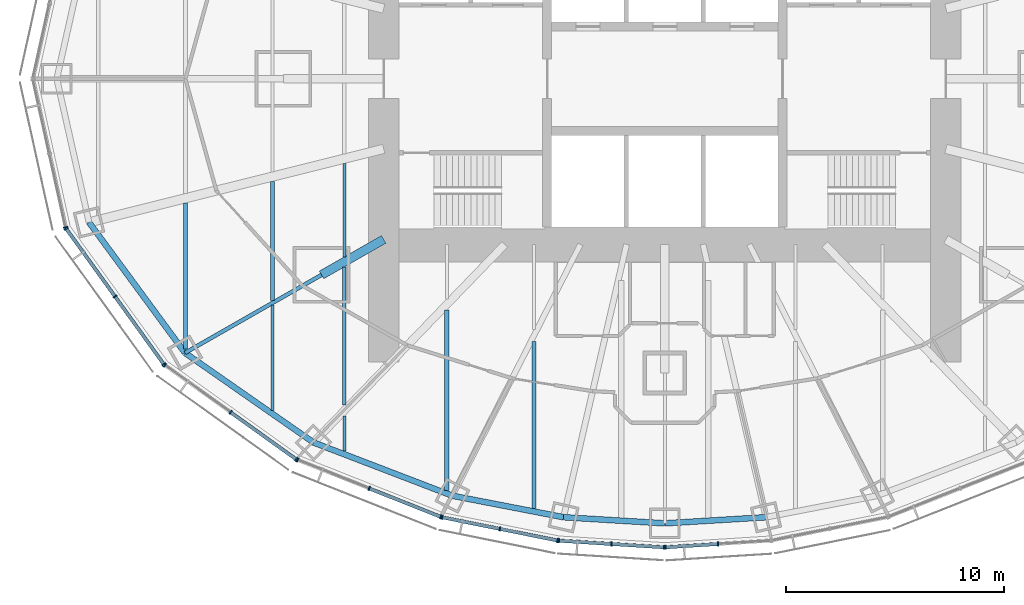
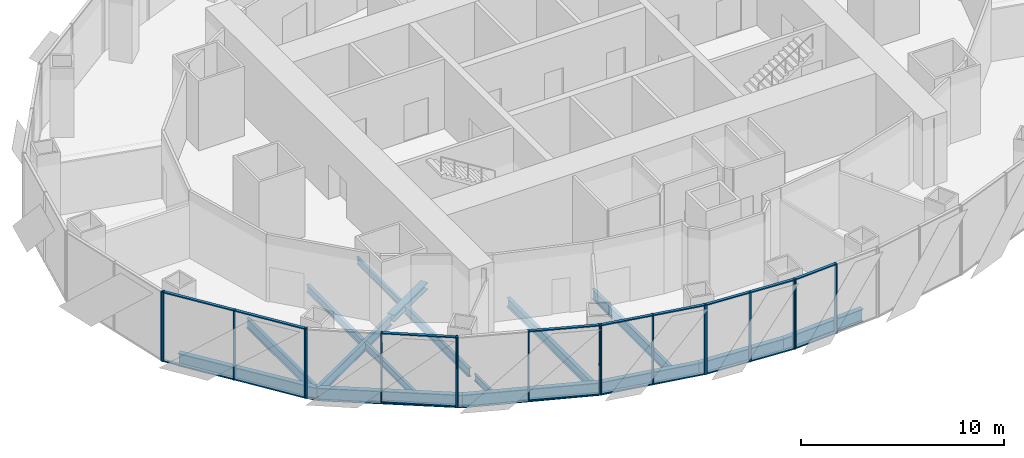
# One storey, part 2 of 18: 36 members, 16 beams, 7 elements without a shape of their own.
"""IFC4 building model written with IfcOpenShell, lengths in metres."""

import ifcopenshell
import ifcopenshell.guid

model = None  # the IFC model being written
_history = None  # IfcOwnerHistory: only IFC2X3 demands one
_inside = {}  # id of a spatial element -> (the spatial element, [elements in it])
_under = {}  # id of a project, library or spatial element -> (it, [spatial elements below it])
_declared = {}  # id of a project -> (the project, [libraries it declares])
_typed = {}  # id of a type object -> (the type object, [elements of that type])
_made_of = {}  # id of a material, layer set ... -> (it, [elements and type objects made of it])


def new_model(schema):
    """Start an empty IFC model of exactly this schema.

    Asked for "IFC4X3", IfcOpenShell would pick the latest addendum, in which some entities
    have other attributes; the version numbers below select the first issue.
    IFC2X3 requires an IfcOwnerHistory on every rooted entity: one is made here for all.
    """
    global model, _history
    if schema == "IFC4X3":
        model = ifcopenshell.file(schema_version=(4, 3, 0, 0))
    else:
        model = ifcopenshell.file(schema=schema)
    _inside.clear()
    _under.clear()
    _declared.clear()
    _typed.clear()
    _made_of.clear()
    _history = None
    if model.schema == "IFC2X3":
        org = make("IfcOrganization", Name="unknown")
        user = make(
            "IfcPersonAndOrganization",
            ThePerson=make("IfcPerson", FamilyName="unknown"),
            TheOrganization=org,
        )
        app = make(
            "IfcApplication",
            ApplicationDeveloper=org,
            Version="unknown",
            ApplicationFullName="unknown",
            ApplicationIdentifier="unknown",
        )
        _history = make(
            "IfcOwnerHistory",
            OwningUser=user,
            OwningApplication=app,
            ChangeAction="ADDED",
            CreationDate=0,
        )
    return model


def make(cls, **values):
    """One entity of the class cls with the attributes given. An attribute that is None is left unset."""
    return model.create_entity(
        cls, **{name: value for name, value in values.items() if value is not None}
    )


def rooted(cls, **values):
    """An entity with a GlobalId (a new one), such as an element, a storey or a relation."""
    return make(cls, GlobalId=ifcopenshell.guid.new(), OwnerHistory=_history, **values)


def si_unit(unit_type, name, prefix=None):
    """IfcSIUnit, for example si_unit("LENGTHUNIT", "METRE", prefix="MILLI")."""
    return make("IfcSIUnit", UnitType=unit_type, Prefix=prefix, Name=name)


def assignment(units):
    """IfcUnitAssignment: the units of a project."""
    return None if units is None else make("IfcUnitAssignment", Units=units)


def point(xyz):
    """IfcCartesianPoint."""
    return None if xyz is None else make("IfcCartesianPoint", Coordinates=xyz)


def direction(xyz):
    """IfcDirection."""
    return None if xyz is None else make("IfcDirection", DirectionRatios=xyz)


def frame(location, z_axis=None, x_axis=None):
    """IfcAxis2Placement3D, a coordinate frame: its origin and axes. An axis left out is left unset."""
    return make(
        "IfcAxis2Placement3D",
        Location=point(location),
        Axis=direction(z_axis),
        RefDirection=direction(x_axis),
    )


def frame_2d(location, x_axis=None):
    """IfcAxis2Placement2D, a coordinate frame in the plane: its origin and x axis."""
    return make(
        "IfcAxis2Placement2D", Location=point(location), RefDirection=direction(x_axis)
    )


def origin():
    """The frame at (0, 0, 0) with its axes left unset."""
    return frame((0.0, 0.0, 0.0))


def origin_2d():
    """The frame at (0, 0) in the plane with its x axis left unset."""
    return frame_2d((0.0, 0.0))


def place(relative_to, where):
    """IfcLocalPlacement: puts the frame where relative to a parent placement (None: the world)."""
    return make(
        "IfcLocalPlacement", PlacementRelTo=relative_to, RelativePlacement=where
    )


def context(
    kind, dimensions, precision=None, world=None, true_north=None, identifier=None
):
    """IfcGeometricRepresentationContext, for example the 3D "Model" context."""
    return make(
        "IfcGeometricRepresentationContext",
        ContextIdentifier=identifier,
        ContextType=kind,
        CoordinateSpaceDimension=dimensions,
        Precision=precision,
        WorldCoordinateSystem=world,
        TrueNorth=true_north,
    )


def subcontext(parent, identifier, kind, view, scale=None):
    """IfcGeometricRepresentationSubContext, for example "Body" below "Model"."""
    return make(
        "IfcGeometricRepresentationSubContext",
        ContextIdentifier=identifier,
        ContextType=kind,
        ParentContext=parent,
        TargetScale=scale,
        TargetView=view,
    )


def project(units=None, contexts=None):
    """IfcProject with its units and contexts."""
    return rooted(
        "IfcProject",
        Name="project",
        RepresentationContexts=contexts,
        UnitsInContext=assignment(units),
    )


def spatial(cls, under=None, at=None, **own):
    """A site, building, storey or space (cls), placed at a placement, below another one or the project."""
    s = rooted(cls, ObjectPlacement=at, **own)
    if under is not None:
        _under.setdefault(under.id(), (under, []))[1].append(s)
    return s


def profile(cls, at=None, kind="AREA", **sizes):
    """A parametric profile (cls). Its sizes go by their IFC names, for example OverallWidth=200.0."""
    return make(cls, ProfileType=kind, Position=at, **sizes)


def rectangle(**sizes):
    """IfcRectangleProfileDef."""
    return profile("IfcRectangleProfileDef", **sizes)


def i_section(**sizes):
    """IfcIShapeProfileDef."""
    return profile("IfcIShapeProfileDef", **sizes)


def extrude(swept, where, along, depth):
    """IfcExtrudedAreaSolid: the profile swept, set in the frame where, extruded along a direction by depth."""
    return make(
        "IfcExtrudedAreaSolid",
        SweptArea=swept,
        Position=where,
        ExtrudedDirection=direction(along),
        Depth=depth,
    )


def shape(context_of_items, identifier, shape_type, items):
    """IfcShapeRepresentation: the items that make up one representation, for example the "Body"."""
    return make(
        "IfcShapeRepresentation",
        ContextOfItems=context_of_items,
        RepresentationIdentifier=identifier,
        RepresentationType=shape_type,
        Items=items,
    )


def material(Name=None, Category=None):
    """IfcMaterial."""
    return make("IfcMaterial", Name=Name, Category=Category)


def material_profile(
    of_material, cross_section, Name=None, Category=None, Priority=None
):
    """IfcMaterialProfile: a cross section and its material."""
    return make(
        "IfcMaterialProfile",
        Name=Name,
        Material=of_material,
        Profile=cross_section,
        Priority=Priority,
        Category=Category,
    )


def profile_set(profiles, Name=None, composite=None):
    """IfcMaterialProfileSet."""
    return make(
        "IfcMaterialProfileSet",
        Name=Name,
        MaterialProfiles=profiles,
        CompositeProfile=composite,
    )


def made_of(thing, what):
    """Note that an element or type object is made of a material, layer set ...; save() writes the relation."""
    if what is not None:
        _made_of.setdefault(what.id(), (what, []))[1].append(thing)
    return thing


def type_object(cls, material=None, **own):
    """A type object (cls), such as IfcWallType, which elements share."""
    return made_of(rooted(cls, **own), material)


def element(
    cls,
    number,
    at=None,
    inside=None,
    cuts=None,
    type_object=None,
    material=None,
    context=None,
    identifier="Body",
    shape_type=None,
    held_by="IfcProductDefinitionShape",
    body=None,
    shapes=None,
    **own,
):
    """One element of the class cls, such as IfcWall. Its Tag is "e" and its number.

    at: its placement. inside: the storey or other place that contains it. cuts: it is an
    opening in that element (IfcRelVoidsElement). A single representation is given by context,
    identifier, shape_type and body (its items); several are given by shapes. held_by: the class
    of the entity that holds the representations. save() writes the other relations.
    """
    e = rooted(cls, Tag="e%d" % number, ObjectPlacement=at, **own)
    if body is not None:
        shapes = [shape(context, identifier, shape_type, body)]
    if shapes is not None:
        e.Representation = make(held_by, Representations=shapes)
    if inside is not None:
        _inside.setdefault(inside.id(), (inside, []))[1].append(e)
    if cuts is not None:
        rooted(
            "IfcRelVoidsElement", RelatingBuildingElement=cuts, RelatedOpeningElement=e
        )
    if type_object is not None:
        _typed.setdefault(type_object.id(), (type_object, []))[1].append(e)
    return made_of(e, material)


def aggregate(whole, parts):
    """IfcRelAggregates: a whole, such as a stair, and the parts it consists of."""
    return rooted("IfcRelAggregates", RelatingObject=whole, RelatedObjects=parts)


def save(model, path):
    """Write the relations noted so far, then the file.

    IfcRelAggregates (storeys below a building ...), IfcRelContainedInSpatialStructure (elements
    in a storey), IfcRelDefinesByType, IfcRelAssociatesMaterial and IfcRelDeclares: one each for
    every whole, place, type object, material and project.
    """
    for whole, parts in _under.values():
        aggregate(whole, parts)
    for where, things in _inside.values():
        rooted(
            "IfcRelContainedInSpatialStructure",
            RelatedElements=things,
            RelatingStructure=where,
        )
    for kind, things in _typed.values():
        rooted("IfcRelDefinesByType", RelatedObjects=things, RelatingType=kind)
    for what, things in _made_of.values():
        rooted("IfcRelAssociatesMaterial", RelatedObjects=things, RelatingMaterial=what)
    for by, libraries in _declared.values():
        rooted("IfcRelDeclares", RelatingContext=by, RelatedDefinitions=libraries)
    model.write(path)


model = new_model("IFC4")

# Units and contexts
model_context = context("Model", 3, precision=1e-05, world=origin(), true_north=direction((0.0, 1.0)))
body_context = subcontext(model_context, "Body", "Model", "MODEL_VIEW")
ifc_project = project(units=[si_unit("LENGTHUNIT", "METRE"), si_unit("AREAUNIT", "SQUARE_METRE"), si_unit("VOLUMEUNIT", "CUBIC_METRE"), si_unit("PLANEANGLEUNIT", "RADIAN"), si_unit("MASSUNIT", "GRAM", prefix="KILO")], contexts=[model_context])

# Site, building, storey
site_placement = place(None, origin())
site = spatial("IfcSite", under=ifc_project, at=site_placement, CompositionType="ELEMENT")
building_placement = place(site_placement, origin())
building = spatial("IfcBuilding", under=site, at=building_placement, Name="Lantaw Convention Tower", CompositionType="ELEMENT")
storey_placement = place(building_placement, frame((0.0, 0.0, 167.800048828125)))
storey = spatial("IfcBuildingStorey", under=building, at=storey_placement, Name="L39", CompositionType="ELEMENT", Elevation=167.800048828125)

# Beams
ifc_material_1 = material(Name="Steel ASTM A992", Category="steel")
ifc_material_profile_1 = material_profile(ifc_material_1, i_section(OverallWidth=0.2666015625, OverallDepth=0.76953125, WebThickness=0.015625, FlangeThickness=0.025390625, FilletRadius=0.0126953125, at=origin_2d()), Name="W30X132")
ifc_profile_set_1 = profile_set([ifc_material_profile_1], Name="Steel ASTM A992")
beam_type_1 = type_object("IfcBeamType", Name="Beam E W30X132", PredefinedType="SPANDREL", material=ifc_profile_set_1)
beam_1_placement = place(storey_placement, frame((-26.419921875, -6.587158203125, -0.534912109375), z_axis=(0.5923891972, -0.805651934176, 0.0), x_axis=(0.805651934176, 0.5923891972, 0.0)))
element("IfcBeam", 1, at=beam_1_placement, inside=storey, type_object=beam_type_1, Name="Edge beam 14", PredefinedType="SPANDREL", context=body_context, shape_type="SweptSolid", body=[
    extrude(i_section(OverallWidth=0.2666015625, OverallDepth=0.76953125, WebThickness=0.015625, FlangeThickness=0.025390625, FilletRadius=0.0126953125, at=origin_2d()), origin(), (0.0, 0.0, 1.0), 7.437744140625),
])
beam_2_placement = place(storey_placement, frame((-22.013916015625, -12.579345703125, -0.534912109375), z_axis=(0.820310765287, -0.57191804339, 0.0), x_axis=(0.57191804339, 0.820310765287, 0.0)))
element("IfcBeam", 2, at=beam_2_placement, inside=storey, type_object=beam_type_1, Name="Edge beam 15", PredefinedType="SPANDREL", context=body_context, shape_type="SweptSolid", body=[
    extrude(i_section(OverallWidth=0.2666015625, OverallDepth=0.76953125, WebThickness=0.015625, FlangeThickness=0.025390625, FilletRadius=0.0126953125, at=origin_2d()), origin(), (0.0, 0.0, 1.0), 7.187744140625),
])
beam_3_placement = place(storey_placement, frame((-16.11767578125, -16.690185546875, -0.534912109375), z_axis=(0.933691081977, -0.358079549033, 0.0), x_axis=(0.358079549033, 0.933691081977, 0.0)))
element("IfcBeam", 3, at=beam_3_placement, inside=storey, type_object=beam_type_1, Name="Edge beam 16", PredefinedType="SPANDREL", context=body_context, shape_type="SweptSolid", body=[
    extrude(i_section(OverallWidth=0.2666015625, OverallDepth=0.76953125, WebThickness=0.015625, FlangeThickness=0.025390625, FilletRadius=0.0126953125, at=origin_2d()), origin(), (0.0, 0.0, 1.0), 6.821533203125),
])
beam_4_placement = place(storey_placement, frame((-9.74853515625, -19.1328125, -0.534912109375), z_axis=(0.981796805654, -0.189934284446, 0.0), x_axis=(0.189934284446, 0.981796805654, 0.0)))
element("IfcBeam", 4, at=beam_4_placement, inside=storey, type_object=beam_type_1, Name="Edge beam 17", PredefinedType="SPANDREL", context=body_context, shape_type="SweptSolid", body=[
    extrude(i_section(OverallWidth=0.2666015625, OverallDepth=0.76953125, WebThickness=0.015625, FlangeThickness=0.025390625, FilletRadius=0.0126953125, at=origin_2d()), origin(), (0.0, 0.0, 1.0), 5.1982421875),
])
for number, where, z_axis, x_axis, name in (
    (5, (-4.64501953125, -20.1201171875, -0.534912109375), (0.998190892054, -0.06012439621, 0.0), (0.06012439621, 0.998190892054, 0.0), "Edge beam 18"),
    (6, (0.0, -20.39990234375, -0.534912109375), (0.998190892054, 0.06012439621, 0.0), (-0.06012439621, 0.998190892054, 0.0), "Edge beam 19"),
):
    element("IfcBeam", number, at=place(storey_placement, frame(where, z_axis=z_axis, x_axis=x_axis)), inside=storey, type_object=beam_type_1, Name=name, PredefinedType="SPANDREL", context=body_context, shape_type="SweptSolid", body=[
        extrude(i_section(OverallWidth=0.2666015625, OverallDepth=0.76953125, WebThickness=0.015625, FlangeThickness=0.025390625, FilletRadius=0.0126953125, at=origin_2d()), origin(), (0.0, 0.0, 1.0), 4.6533203125),
    ])
ifc_material_profile_2 = material_profile(ifc_material_1, i_section(OverallWidth=0.177978515625, OverallDepth=0.599365234375, WebThickness=0.010009765625, FlangeThickness=0.012939453125, FilletRadius=0.012939453125, at=origin_2d()), Name="W24X55")
ifc_profile_set_2 = profile_set([ifc_material_profile_2], Name="Steel ASTM A992")
beam_type_2 = type_object("IfcBeamType", Name="Beam G W24X55", PredefinedType="BEAM", material=ifc_profile_set_2)
beam_5_placement = place(storey_placement, frame((-15.75, -9.0, -0.44970703125), z_axis=(-0.868245224608, -0.496135293993, 0.0), x_axis=(0.496135293993, -0.868245224608, 0.0)))
element("IfcBeam", 7, at=beam_5_placement, inside=storey, type_object=beam_type_2, Name="Floor girder on ray 15", PredefinedType="BEAM", context=body_context, shape_type="SweptSolid", body=[
    extrude(i_section(OverallWidth=0.177978515625, OverallDepth=0.599365234375, WebThickness=0.010009765625, FlangeThickness=0.012939453125, FilletRadius=0.012939453125, at=origin_2d()), origin(), (0.0, 0.0, 1.0), 7.21435546875),
])
ifc_material_profile_3 = material_profile(ifc_material_1, i_section(OverallWidth=0.40380859375, OverallDepth=0.406494140625, WebThickness=0.027099609375, FlangeThickness=0.043701171875, FilletRadius=0.01513671875, at=origin_2d()), Name="W14X233")
ifc_profile_set_3 = profile_set([ifc_material_profile_3], Name="Steel ASTM A992")
beam_type_3 = type_object("IfcBeamType", Name="Beam GM W14X233", PredefinedType="BEAM", material=ifc_profile_set_3)
beam_6_placement = place(storey_placement, frame((-12.89990234375, -7.371337890625, -0.353271484375), z_axis=(-0.868238565244, -0.496146947811, 0.0), x_axis=(0.496146947811, -0.868238565244, 0.0)))
element("IfcBeam", 8, at=beam_6_placement, inside=storey, type_object=beam_type_3, Name="Core link beam on ray 15", PredefinedType="BEAM", context=body_context, shape_type="SweptSolid", body=[
    extrude(i_section(OverallWidth=0.40380859375, OverallDepth=0.406494140625, WebThickness=0.027099609375, FlangeThickness=0.043701171875, FilletRadius=0.01513671875, at=origin_2d()), origin(), (0.0, 0.0, 1.0), 3.28271484375),
])
ifc_material_profile_4 = material_profile(ifc_material_1, i_section(OverallWidth=0.140380859375, OverallDepth=0.40380859375, WebThickness=0.007080078125, FlangeThickness=0.01123046875, FilletRadius=0.01025390625, at=origin_2d()), Name="W16X31")
ifc_profile_set_4 = profile_set([ifc_material_profile_4], Name="Steel ASTM A992")
beam_type_4 = type_object("IfcBeamType", Name="Beam J W16X31", PredefinedType="JOIST", material=ifc_profile_set_4)
beam_7_placement = place(storey_placement, frame((-14.699951171875, -17.091064453125, -0.35205078125), z_axis=(0.0, 1.0, 0.0), x_axis=(-1.0, 0.0, 0.0)))
element("IfcBeam", 9, at=beam_7_placement, inside=storey, type_object=beam_type_4, Name="Floor joist", PredefinedType="JOIST", context=body_context, shape_type="SweptSolid", body=[
    extrude(i_section(OverallWidth=0.140380859375, OverallDepth=0.40380859375, WebThickness=0.007080078125, FlangeThickness=0.01123046875, FilletRadius=0.01025390625, at=origin_2d()), origin(), (0.0, 0.0, 1.0), 1.609130859375),
])
beam_8_placement = place(storey_placement, frame((-14.699951171875, -8.16748046875, -0.35205078125), z_axis=(0.0, 1.0, 0.0), x_axis=(-1.0, 0.0, 0.0)))
element("IfcBeam", 10, at=beam_8_placement, inside=storey, type_object=beam_type_4, Name="Floor joist", PredefinedType="JOIST", context=body_context, shape_type="SweptSolid", body=[
    extrude(i_section(OverallWidth=0.140380859375, OverallDepth=0.40380859375, WebThickness=0.007080078125, FlangeThickness=0.01123046875, FilletRadius=0.01025390625, at=origin_2d()), origin(), (0.0, 0.0, 1.0), 4.28515625),
])
ifc_material_profile_5 = material_profile(ifc_material_1, i_section(OverallWidth=0.15234375, OverallDepth=0.449462890625, WebThickness=0.007568359375, FlangeThickness=0.0107421875, FilletRadius=0.01025390625, at=origin_2d()), Name="W18X35")
ifc_profile_set_5 = profile_set([ifc_material_profile_5], Name="Steel ASTM A992")
beam_type_5 = type_object("IfcBeamType", Name="Beam J W18X35", PredefinedType="JOIST", material=ifc_profile_set_5)
beam_9_placement = place(storey_placement, frame((-18.0, -15.21533203125, -0.374755859375), z_axis=(0.0, 1.0, 0.0), x_axis=(-1.0, 0.0, 0.0)))
element("IfcBeam", 11, at=beam_9_placement, inside=storey, type_object=beam_type_5, Name="Floor joist", PredefinedType="JOIST", context=body_context, shape_type="SweptSolid", body=[
    extrude(i_section(OverallWidth=0.15234375, OverallDepth=0.449462890625, WebThickness=0.007568359375, FlangeThickness=0.0107421875, FilletRadius=0.01025390625, at=origin_2d()), origin(), (0.0, 0.0, 1.0), 4.8271484375),
])
ifc_material_profile_6 = material_profile(ifc_material_1, i_section(OverallWidth=0.1904296875, OverallDepth=0.457275390625, WebThickness=0.009033203125, FlangeThickness=0.014404296875, FilletRadius=0.01025390625, at=origin_2d()), Name="W18X50")
ifc_profile_set_6 = profile_set([ifc_material_profile_6], Name="Steel ASTM A992")
beam_type_6 = type_object("IfcBeamType", Name="Beam J W18X50", PredefinedType="JOIST", material=ifc_profile_set_6)
beam_10_placement = place(storey_placement, frame((-18.0, -10.18310546875, -0.378662109375), z_axis=(0.0, 1.0, 0.0), x_axis=(-1.0, 0.0, 0.0)))
element("IfcBeam", 12, at=beam_10_placement, inside=storey, type_object=beam_type_6, Name="Floor joist", PredefinedType="JOIST", context=body_context, shape_type="SweptSolid", body=[
    extrude(i_section(OverallWidth=0.1904296875, OverallDepth=0.457275390625, WebThickness=0.009033203125, FlangeThickness=0.014404296875, FilletRadius=0.01025390625, at=origin_2d()), origin(), (0.0, 0.0, 1.0), 5.47802734375),
])
ifc_material_profile_7 = material_profile(ifc_material_1, i_section(OverallWidth=0.1650390625, OverallDepth=0.52587890625, WebThickness=0.0087890625, FlangeThickness=0.011474609375, FilletRadius=0.0126953125, at=origin_2d()), Name="W21X44")
ifc_profile_set_7 = profile_set([ifc_material_profile_7], Name="Steel ASTM A992")
beam_type_7 = type_object("IfcBeamType", Name="Beam J W21X44", PredefinedType="JOIST", material=ifc_profile_set_7)
beam_11_placement = place(storey_placement, frame((-14.699951171875, -14.962646484375, -0.412841796875), z_axis=(0.0, 1.0, 0.0), x_axis=(-1.0, 0.0, 0.0)))
element("IfcBeam", 13, at=beam_11_placement, inside=storey, type_object=beam_type_7, Name="Floor joist", PredefinedType="JOIST", context=body_context, shape_type="SweptSolid", body=[
    extrude(i_section(OverallWidth=0.1650390625, OverallDepth=0.52587890625, WebThickness=0.0087890625, FlangeThickness=0.011474609375, FilletRadius=0.0126953125, at=origin_2d()), origin(), (0.0, 0.0, 1.0), 6.330078125),
])
ifc_material_profile_8 = material_profile(ifc_material_1, i_section(OverallWidth=0.2099609375, OverallDepth=0.535888671875, WebThickness=0.010986328125, FlangeThickness=0.017333984375, FilletRadius=0.012939453125, at=origin_2d()), Name="W21X68")
ifc_profile_set_8 = profile_set([ifc_material_profile_8], Name="Steel ASTM A992")
beam_type_8 = type_object("IfcBeamType", Name="Beam J W21X68", PredefinedType="JOIST", material=ifc_profile_set_8)
beam_12_placement = place(storey_placement, frame((-10.0, -18.8935546875, -0.41796875), z_axis=(0.0, 1.0, 0.0), x_axis=(-1.0, 0.0, 0.0)))
element("IfcBeam", 14, at=beam_12_placement, inside=storey, type_object=beam_type_8, Name="Floor joist", PredefinedType="JOIST", context=body_context, shape_type="SweptSolid", body=[
    extrude(i_section(OverallWidth=0.2099609375, OverallDepth=0.535888671875, WebThickness=0.010986328125, FlangeThickness=0.017333984375, FilletRadius=0.012939453125, at=origin_2d()), origin(), (0.0, 0.0, 1.0), 8.278564453125),
])
ifc_material_profile_9 = material_profile(ifc_material_1, i_section(OverallWidth=0.177978515625, OverallDepth=0.599365234375, WebThickness=0.010009765625, FlangeThickness=0.012939453125, FilletRadius=0.012939453125, at=origin_2d()), Name="W24X55")
ifc_profile_set_9 = profile_set([ifc_material_profile_9], Name="Steel ASTM A992")
beam_type_9 = type_object("IfcBeamType", Name="Beam J W24X55", PredefinedType="JOIST", material=ifc_profile_set_9)
beam_13_placement = place(storey_placement, frame((-22.0, -12.408935546875, -0.44970703125), z_axis=(0.0, 1.0, 0.0), x_axis=(-1.0, 0.0, 0.0)))
element("IfcBeam", 15, at=beam_13_placement, inside=storey, type_object=beam_type_9, Name="Floor joist", PredefinedType="JOIST", context=body_context, shape_type="SweptSolid", body=[
    extrude(i_section(OverallWidth=0.177978515625, OverallDepth=0.599365234375, WebThickness=0.010009765625, FlangeThickness=0.012939453125, FilletRadius=0.012939453125, at=origin_2d()), origin(), (0.0, 0.0, 1.0), 6.70654296875),
])
beam_14_placement = place(storey_placement, frame((-6.0, -19.72216796875, -0.44970703125), z_axis=(0.0, 1.0, 0.0), x_axis=(-1.0, 0.0, 0.0)))
element("IfcBeam", 16, at=beam_14_placement, inside=storey, type_object=beam_type_9, Name="Floor joist", PredefinedType="JOIST", context=body_context, shape_type="SweptSolid", body=[
    extrude(i_section(OverallWidth=0.177978515625, OverallDepth=0.599365234375, WebThickness=0.010009765625, FlangeThickness=0.012939453125, FilletRadius=0.012939453125, at=origin_2d()), origin(), (0.0, 0.0, 1.0), 7.666748046875),
])

# Curtain wall, member
ifc_material_2 = material(Name="Aluminium framed curtain wall", Category="aluminium")
curtain_wall_type = type_object("IfcCurtainWallType", Name="Office curtain wall low rise, pale aluminium", PredefinedType="USERDEFINED", material=ifc_material_2)
curtain_wall_1_placement = place(storey_placement, origin())
curtain_wall_1 = element("IfcCurtainWall", 17, at=curtain_wall_1_placement, inside=storey, type_object=curtain_wall_type, Name="Office curtain wall low rise, pale aluminium L39", ObjectType="UNITISED CURTAIN WALL", PredefinedType="USERDEFINED")
ifc_material_3 = material(Name="Aluminium 6063-T6", Category="aluminium")
ifc_material_profile_10 = material_profile(ifc_material_3, rectangle(XDim=0.199951171875, YDim=0.06494140625, at=origin_2d()), Name="CW-O1 mullion 65x200")
ifc_profile_set_10 = profile_set([ifc_material_profile_10], Name="Aluminium 6063-T6")
member_type_1 = type_object("IfcMemberType", Name="CW-O1 mullion 65x200", PredefinedType="MULLION", material=ifc_profile_set_10)
member_1_placement = place(storey_placement, frame((-27.494140625, -6.821533203125, -0.150146484375), z_axis=(0.0, 0.0, 1.0), x_axis=(0.9764936509, 0.215546166174, 0.0)))
member_1 = element("IfcMember", 18, at=member_1_placement, type_object=member_type_1, Name="CW-O1 mullion 3", PredefinedType="MULLION", context=body_context, shape_type="SweptSolid", body=[
    extrude(rectangle(XDim=0.199951171875, YDim=0.06494140625, at=origin_2d()), origin(), (0.0, 0.0, 1.0), 4.2001953125),
])
aggregate(curtain_wall_1, [member_1])

# Curtain wall, members
curtain_wall_2_placement = place(storey_placement, origin())
curtain_wall_2 = element("IfcCurtainWall", 19, at=curtain_wall_2_placement, inside=storey, type_object=curtain_wall_type, Name="Office curtain wall low rise, pale aluminium L39", ObjectType="UNITISED CURTAIN WALL", PredefinedType="USERDEFINED")
member_2_placement = place(storey_placement, frame((-27.46826171875, -6.879638671875, -0.150146484375), z_axis=(0.0, 0.0, 1.0), x_axis=(0.811384633629, 0.584512597221, 0.0)))
member_2 = element("IfcMember", 20, at=member_2_placement, type_object=member_type_1, Name="CW-O1 mullion 1", PredefinedType="MULLION", context=body_context, shape_type="SweptSolid", body=[
    extrude(rectangle(XDim=0.199951171875, YDim=0.06494140625, at=origin_2d()), origin(), (0.0, 0.0, 1.0), 4.2001953125),
])
member_3_placement = place(storey_placement, frame((-25.22802734375, -9.9892578125, -0.150146484375), z_axis=(0.0, 0.0, 1.0), x_axis=(0.811384633629, 0.584512597221, 0.0)))
member_3 = element("IfcMember", 21, at=member_3_placement, type_object=member_type_1, Name="CW-O1 mullion 2", PredefinedType="MULLION", context=body_context, shape_type="SweptSolid", body=[
    extrude(rectangle(XDim=0.199951171875, YDim=0.06494140625, at=origin_2d()), origin(), (0.0, 0.0, 1.0), 4.2001953125),
])
member_4_placement = place(storey_placement, frame((-22.988037109375, -13.098876953125, -0.150146484375), z_axis=(0.0, 0.0, 1.0), x_axis=(0.811384633629, 0.584512597221, 0.0)))
member_4 = element("IfcMember", 22, at=member_4_placement, type_object=member_type_1, Name="CW-O1 mullion 3", PredefinedType="MULLION", context=body_context, shape_type="SweptSolid", body=[
    extrude(rectangle(XDim=0.199951171875, YDim=0.06494140625, at=origin_2d()), origin(), (0.0, 0.0, 1.0), 4.2001953125),
])

curtain_wall_3_placement = place(storey_placement, origin())
curtain_wall_3 = element("IfcCurtainWall", 23, at=curtain_wall_3_placement, inside=storey, type_object=curtain_wall_type, Name="Office curtain wall low rise, pale aluminium L39", ObjectType="UNITISED CURTAIN WALL", PredefinedType="USERDEFINED")
member_5_placement = place(storey_placement, frame((-22.942626953125, -13.14404296875, -0.150146484375), z_axis=(0.0, 0.0, 1.0), x_axis=(0.581972695693, 0.813208325995, 0.0)))
member_5 = element("IfcMember", 24, at=member_5_placement, type_object=member_type_1, Name="CW-O1 mullion 1", PredefinedType="MULLION", context=body_context, shape_type="SweptSolid", body=[
    extrude(rectangle(XDim=0.199951171875, YDim=0.06494140625, at=origin_2d()), origin(), (0.0, 0.0, 1.0), 4.2001953125),
])
member_6_placement = place(storey_placement, frame((-19.92529296875, -15.303466796875, -0.150146484375), z_axis=(0.0, 0.0, 1.0), x_axis=(0.581972695693, 0.813208325995, 0.0)))
member_6 = element("IfcMember", 25, at=member_6_placement, type_object=member_type_1, Name="CW-O1 mullion 2", PredefinedType="MULLION", context=body_context, shape_type="SweptSolid", body=[
    extrude(rectangle(XDim=0.199951171875, YDim=0.06494140625, at=origin_2d()), origin(), (0.0, 0.0, 1.0), 4.2001953125),
])
member_7_placement = place(storey_placement, frame((-16.908203125, -17.462646484375, -0.150146484375), z_axis=(0.0, 0.0, 1.0), x_axis=(0.581972695693, 0.813208325995, 0.0)))
member_7 = element("IfcMember", 26, at=member_7_placement, type_object=member_type_1, Name="CW-O1 mullion 3", PredefinedType="MULLION", context=body_context, shape_type="SweptSolid", body=[
    extrude(rectangle(XDim=0.199951171875, YDim=0.06494140625, at=origin_2d()), origin(), (0.0, 0.0, 1.0), 4.2001953125),
])

curtain_wall_4_placement = place(storey_placement, origin())
curtain_wall_4 = element("IfcCurtainWall", 27, at=curtain_wall_4_placement, inside=storey, type_object=curtain_wall_type, Name="Office curtain wall low rise, pale aluminium L39", ObjectType="UNITISED CURTAIN WALL", PredefinedType="USERDEFINED")
member_8_placement = place(storey_placement, frame((-16.8515625, -17.49365234375, -0.150146484375), z_axis=(0.0, 0.0, 1.0), x_axis=(0.368701907483, 0.929547687544, 0.0)))
member_8 = element("IfcMember", 28, at=member_8_placement, type_object=member_type_1, Name="CW-O1 mullion 1", PredefinedType="MULLION", context=body_context, shape_type="SweptSolid", body=[
    extrude(rectangle(XDim=0.199951171875, YDim=0.06494140625, at=origin_2d()), origin(), (0.0, 0.0, 1.0), 4.2001953125),
])
member_9_placement = place(storey_placement, frame((-13.56494140625, -18.797119140625, -0.150146484375), z_axis=(0.0, 0.0, 1.0), x_axis=(0.368701907483, 0.929547687544, 0.0)))
member_9 = element("IfcMember", 29, at=member_9_placement, type_object=member_type_1, Name="CW-O1 mullion 2", PredefinedType="MULLION", context=body_context, shape_type="SweptSolid", body=[
    extrude(rectangle(XDim=0.199951171875, YDim=0.06494140625, at=origin_2d()), origin(), (0.0, 0.0, 1.0), 4.2001953125),
])
member_10_placement = place(storey_placement, frame((-10.2783203125, -20.100830078125, -0.150146484375), z_axis=(0.0, 0.0, 1.0), x_axis=(0.368701907483, 0.929547687544, 0.0)))
member_10 = element("IfcMember", 30, at=member_10_placement, type_object=member_type_1, Name="CW-O1 mullion 3", PredefinedType="MULLION", context=body_context, shape_type="SweptSolid", body=[
    extrude(rectangle(XDim=0.199951171875, YDim=0.06494140625, at=origin_2d()), origin(), (0.0, 0.0, 1.0), 4.2001953125),
])

curtain_wall_5_placement = place(storey_placement, origin())
curtain_wall_5 = element("IfcCurtainWall", 31, at=curtain_wall_5_placement, inside=storey, type_object=curtain_wall_type, Name="Office curtain wall low rise, pale aluminium L39", ObjectType="UNITISED CURTAIN WALL", PredefinedType="USERDEFINED")
member_11_placement = place(storey_placement, frame((-10.216064453125, -20.119140625, -0.150146484375), z_axis=(0.0, 0.0, 1.0), x_axis=(0.197506809659, 0.980301514912, 0.0)))
member_11 = element("IfcMember", 32, at=member_11_placement, type_object=member_type_1, Name="CW-O1 mullion 1", PredefinedType="MULLION", context=body_context, shape_type="SweptSolid", body=[
    extrude(rectangle(XDim=0.199951171875, YDim=0.06494140625, at=origin_2d()), origin(), (0.0, 0.0, 1.0), 4.2001953125),
])
member_12_placement = place(storey_placement, frame((-7.5703125, -20.65234375, -0.150146484375), z_axis=(0.0, 0.0, 1.0), x_axis=(0.197506809659, 0.980301514912, 0.0)))
member_12 = element("IfcMember", 33, at=member_12_placement, type_object=member_type_1, Name="CW-O1 mullion 2", PredefinedType="MULLION", context=body_context, shape_type="SweptSolid", body=[
    extrude(rectangle(XDim=0.199951171875, YDim=0.06494140625, at=origin_2d()), origin(), (0.0, 0.0, 1.0), 4.2001953125),
])
member_13_placement = place(storey_placement, frame((-4.92431640625, -21.185302734375, -0.150146484375), z_axis=(0.0, 0.0, 1.0), x_axis=(0.197506809659, 0.980301514912, 0.0)))
member_13 = element("IfcMember", 34, at=member_13_placement, type_object=member_type_1, Name="CW-O1 mullion 3", PredefinedType="MULLION", context=body_context, shape_type="SweptSolid", body=[
    extrude(rectangle(XDim=0.199951171875, YDim=0.06494140625, at=origin_2d()), origin(), (0.0, 0.0, 1.0), 4.2001953125),
])

curtain_wall_6_placement = place(storey_placement, origin())
curtain_wall_6 = element("IfcCurtainWall", 35, at=curtain_wall_6_placement, inside=storey, type_object=curtain_wall_type, Name="Office curtain wall low rise, pale aluminium L39", ObjectType="UNITISED CURTAIN WALL", PredefinedType="USERDEFINED")
member_14_placement = place(storey_placement, frame((-4.860107421875, -21.19384765625, -0.150146484375), z_axis=(0.0, 0.0, 1.0), x_axis=(0.062865059466, 0.998022035978, 0.0)))
member_14 = element("IfcMember", 36, at=member_14_placement, type_object=member_type_1, Name="CW-O1 mullion 1", PredefinedType="MULLION", context=body_context, shape_type="SweptSolid", body=[
    extrude(rectangle(XDim=0.199951171875, YDim=0.06494140625, at=origin_2d()), origin(), (0.0, 0.0, 1.0), 4.2001953125),
])
member_15_placement = place(storey_placement, frame((-2.4462890625, -21.345947265625, -0.150146484375), z_axis=(0.0, 0.0, 1.0), x_axis=(0.062865059466, 0.998022035978, 0.0)))
member_15 = element("IfcMember", 37, at=member_15_placement, type_object=member_type_1, Name="CW-O1 mullion 2", PredefinedType="MULLION", context=body_context, shape_type="SweptSolid", body=[
    extrude(rectangle(XDim=0.199951171875, YDim=0.06494140625, at=origin_2d()), origin(), (0.0, 0.0, 1.0), 4.2001953125),
])
member_16_placement = place(storey_placement, frame((-0.032470703125, -21.498046875, -0.150146484375), z_axis=(0.0, 0.0, 1.0), x_axis=(0.062865059466, 0.998022035978, 0.0)))
member_16 = element("IfcMember", 38, at=member_16_placement, type_object=member_type_1, Name="CW-O1 mullion 3", PredefinedType="MULLION", context=body_context, shape_type="SweptSolid", body=[
    extrude(rectangle(XDim=0.199951171875, YDim=0.06494140625, at=origin_2d()), origin(), (0.0, 0.0, 1.0), 4.2001953125),
])

curtain_wall_7_placement = place(storey_placement, origin())
curtain_wall_7 = element("IfcCurtainWall", 39, at=curtain_wall_7_placement, inside=storey, type_object=curtain_wall_type, Name="Office curtain wall low rise, pale aluminium L39", ObjectType="UNITISED CURTAIN WALL", PredefinedType="USERDEFINED")
member_17_placement = place(storey_placement, frame((0.032470703125, -21.498046875, -0.150146484375), z_axis=(0.0, 0.0, 1.0), x_axis=(-0.062865059466, 0.998022035978, 0.0)))
member_17 = element("IfcMember", 40, at=member_17_placement, type_object=member_type_1, Name="CW-O1 mullion 1", PredefinedType="MULLION", context=body_context, shape_type="SweptSolid", body=[
    extrude(rectangle(XDim=0.199951171875, YDim=0.06494140625, at=origin_2d()), origin(), (0.0, 0.0, 1.0), 4.2001953125),
])
member_18_placement = place(storey_placement, frame((2.4462890625, -21.345947265625, -0.150146484375), z_axis=(0.0, 0.0, 1.0), x_axis=(-0.062865059466, 0.998022035978, 0.0)))
member_18 = element("IfcMember", 41, at=member_18_placement, type_object=member_type_1, Name="CW-O1 mullion 2", PredefinedType="MULLION", context=body_context, shape_type="SweptSolid", body=[
    extrude(rectangle(XDim=0.199951171875, YDim=0.06494140625, at=origin_2d()), origin(), (0.0, 0.0, 1.0), 4.2001953125),
])

# Member
ifc_material_profile_11 = material_profile(ifc_material_3, rectangle(XDim=0.159912109375, YDim=0.06494140625, at=origin_2d()), Name="CW-O1 transom 65x160")
ifc_profile_set_11 = profile_set([ifc_material_profile_11], Name="Aluminium 6063-T6")
member_type_2 = type_object("IfcMemberType", Name="CW-O1 transom 65x160", PredefinedType="USERDEFINED", material=ifc_profile_set_11)
member_19_placement = place(storey_placement, frame((-27.44921875, -6.906005859375, -0.117431640625), z_axis=(0.584512973979, -0.811384362217, 0.0), x_axis=(0.811384362217, 0.584512973979, 0.0)))
member_19 = element("IfcMember", 42, at=member_19_placement, type_object=member_type_2, Name="CW-O1 transom 1.1", ObjectType="TRANSOM", PredefinedType="USERDEFINED", context=body_context, shape_type="SweptSolid", body=[
    extrude(rectangle(XDim=0.159912109375, YDim=0.06494140625, at=origin_2d()), origin(), (0.0, 0.0, 1.0), 3.767578125),
])

member_20_placement = place(storey_placement, frame((-27.44921875, -6.906005859375, 4.017333984375), z_axis=(0.584512973979, -0.811384362217, 0.0), x_axis=(0.811384362217, 0.584512973979, 0.0)))
member_20 = element("IfcMember", 43, at=member_20_placement, type_object=member_type_2, Name="CW-O1 transom 1.2", ObjectType="TRANSOM", PredefinedType="USERDEFINED", context=body_context, shape_type="SweptSolid", body=[
    extrude(rectangle(XDim=0.159912109375, YDim=0.06494140625, at=origin_2d()), origin(), (0.0, 0.0, 1.0), 3.767578125),
])

member_21_placement = place(storey_placement, frame((-25.209228515625, -10.015625, -0.117431640625), z_axis=(0.584512973979, -0.811384362217, 0.0), x_axis=(0.811384362217, 0.584512973979, 0.0)))
member_21 = element("IfcMember", 44, at=member_21_placement, type_object=member_type_2, Name="CW-O1 transom 2.1", ObjectType="TRANSOM", PredefinedType="USERDEFINED", context=body_context, shape_type="SweptSolid", body=[
    extrude(rectangle(XDim=0.159912109375, YDim=0.06494140625, at=origin_2d()), origin(), (0.0, 0.0, 1.0), 3.767578125),
])

member_22_placement = place(storey_placement, frame((-25.209228515625, -10.015625, 4.017333984375), z_axis=(0.584512973979, -0.811384362217, 0.0), x_axis=(0.811384362217, 0.584512973979, 0.0)))
member_22 = element("IfcMember", 45, at=member_22_placement, type_object=member_type_2, Name="CW-O1 transom 2.2", ObjectType="TRANSOM", PredefinedType="USERDEFINED", context=body_context, shape_type="SweptSolid", body=[
    extrude(rectangle(XDim=0.159912109375, YDim=0.06494140625, at=origin_2d()), origin(), (0.0, 0.0, 1.0), 3.767578125),
])

aggregate(curtain_wall_2, [member_2, member_3, member_4, member_19, member_20, member_21, member_22])

member_23_placement = place(storey_placement, frame((-19.89892578125, -15.322265625, -0.117431640625), z_axis=(0.813190089133, -0.581998177777, 0.0), x_axis=(0.581998177777, 0.813190089133, 0.0)))
member_23 = element("IfcMember", 46, at=member_23_placement, type_object=member_type_2, Name="CW-O1 transom 2.1", ObjectType="TRANSOM", PredefinedType="USERDEFINED", context=body_context, shape_type="SweptSolid", body=[
    extrude(rectangle(XDim=0.159912109375, YDim=0.06494140625, at=origin_2d()), origin(), (0.0, 0.0, 1.0), 3.645263671875),
])

member_24_placement = place(storey_placement, frame((-19.89892578125, -15.322265625, 4.017333984375), z_axis=(0.813190089133, -0.581998177777, 0.0), x_axis=(0.581998177777, 0.813190089133, 0.0)))
member_24 = element("IfcMember", 47, at=member_24_placement, type_object=member_type_2, Name="CW-O1 transom 2.2", ObjectType="TRANSOM", PredefinedType="USERDEFINED", context=body_context, shape_type="SweptSolid", body=[
    extrude(rectangle(XDim=0.159912109375, YDim=0.06494140625, at=origin_2d()), origin(), (0.0, 0.0, 1.0), 3.645263671875),
])

aggregate(curtain_wall_3, [member_5, member_6, member_7, member_23, member_24])

member_25_placement = place(storey_placement, frame((-13.53466796875, -18.80908203125, -0.117431640625), z_axis=(0.929540081544, -0.368721082668, 0.0), x_axis=(0.368721082668, 0.929540081544, 0.0)))
member_25 = element("IfcMember", 48, at=member_25_placement, type_object=member_type_2, Name="CW-O1 transom 2.1", ObjectType="TRANSOM", PredefinedType="USERDEFINED", context=body_context, shape_type="SweptSolid", body=[
    extrude(rectangle(XDim=0.159912109375, YDim=0.06494140625, at=origin_2d()), origin(), (0.0, 0.0, 1.0), 3.470947265625),
])

member_26_placement = place(storey_placement, frame((-13.53466796875, -18.80908203125, 4.017333984375), z_axis=(0.929540081544, -0.368721082668, 0.0), x_axis=(0.368721082668, 0.929540081544, 0.0)))
member_26 = element("IfcMember", 49, at=member_26_placement, type_object=member_type_2, Name="CW-O1 transom 2.2", ObjectType="TRANSOM", PredefinedType="USERDEFINED", context=body_context, shape_type="SweptSolid", body=[
    extrude(rectangle(XDim=0.159912109375, YDim=0.06494140625, at=origin_2d()), origin(), (0.0, 0.0, 1.0), 3.470947265625),
])

aggregate(curtain_wall_4, [member_8, member_9, member_10, member_25, member_26])

member_27_placement = place(storey_placement, frame((-10.184326171875, -20.125732421875, -0.117431640625), z_axis=(0.980301643003, -0.197506173891, 0.0), x_axis=(0.197506173891, 0.980301643003, 0.0)))
member_27 = element("IfcMember", 50, at=member_27_placement, type_object=member_type_2, Name="CW-O1 transom 1.1", ObjectType="TRANSOM", PredefinedType="USERDEFINED", context=body_context, shape_type="SweptSolid", body=[
    extrude(rectangle(XDim=0.159912109375, YDim=0.06494140625, at=origin_2d()), origin(), (0.0, 0.0, 1.0), 2.63427734375),
])

member_28_placement = place(storey_placement, frame((-10.184326171875, -20.125732421875, 4.017333984375), z_axis=(0.980301643003, -0.197506173891, 0.0), x_axis=(0.197506173891, 0.980301643003, 0.0)))
member_28 = element("IfcMember", 51, at=member_28_placement, type_object=member_type_2, Name="CW-O1 transom 1.2", ObjectType="TRANSOM", PredefinedType="USERDEFINED", context=body_context, shape_type="SweptSolid", body=[
    extrude(rectangle(XDim=0.159912109375, YDim=0.06494140625, at=origin_2d()), origin(), (0.0, 0.0, 1.0), 2.63427734375),
])

member_29_placement = place(storey_placement, frame((-7.538330078125, -20.65869140625, -0.117431640625), z_axis=(0.980298027092, -0.197524120247, 0.0), x_axis=(0.197524120247, 0.980298027092, 0.0)))
member_29 = element("IfcMember", 52, at=member_29_placement, type_object=member_type_2, Name="CW-O1 transom 2.1", ObjectType="TRANSOM", PredefinedType="USERDEFINED", context=body_context, shape_type="SweptSolid", body=[
    extrude(rectangle(XDim=0.159912109375, YDim=0.06494140625, at=origin_2d()), origin(), (0.0, 0.0, 1.0), 2.634033203125),
])

member_30_placement = place(storey_placement, frame((-7.538330078125, -20.65869140625, 4.017333984375), z_axis=(0.980298027092, -0.197524120247, 0.0), x_axis=(0.197524120247, 0.980298027092, 0.0)))
member_30 = element("IfcMember", 53, at=member_30_placement, type_object=member_type_2, Name="CW-O1 transom 2.2", ObjectType="TRANSOM", PredefinedType="USERDEFINED", context=body_context, shape_type="SweptSolid", body=[
    extrude(rectangle(XDim=0.159912109375, YDim=0.06494140625, at=origin_2d()), origin(), (0.0, 0.0, 1.0), 2.634033203125),
])

aggregate(curtain_wall_5, [member_11, member_12, member_13, member_27, member_28, member_29, member_30])

member_31_placement = place(storey_placement, frame((-4.82763671875, -21.19580078125, -0.117431640625), z_axis=(0.998022188463, -0.062862638625, 0.0), x_axis=(0.062862638625, 0.998022188463, 0.0)))
member_31 = element("IfcMember", 54, at=member_31_placement, type_object=member_type_2, Name="CW-O1 transom 1.1", ObjectType="TRANSOM", PredefinedType="USERDEFINED", context=body_context, shape_type="SweptSolid", body=[
    extrude(rectangle(XDim=0.159912109375, YDim=0.06494140625, at=origin_2d()), origin(), (0.0, 0.0, 1.0), 2.353515625),
])

member_32_placement = place(storey_placement, frame((-4.82763671875, -21.19580078125, 4.017333984375), z_axis=(0.998022188463, -0.062862638625, 0.0), x_axis=(0.062862638625, 0.998022188463, 0.0)))
member_32 = element("IfcMember", 55, at=member_32_placement, type_object=member_type_2, Name="CW-O1 transom 1.2", ObjectType="TRANSOM", PredefinedType="USERDEFINED", context=body_context, shape_type="SweptSolid", body=[
    extrude(rectangle(XDim=0.159912109375, YDim=0.06494140625, at=origin_2d()), origin(), (0.0, 0.0, 1.0), 2.353515625),
])

member_33_placement = place(storey_placement, frame((-2.413818359375, -21.347900390625, -0.117431640625), z_axis=(0.998022188463, -0.062862638625, 0.0), x_axis=(0.062862638625, 0.998022188463, 0.0)))
member_33 = element("IfcMember", 56, at=member_33_placement, type_object=member_type_2, Name="CW-O1 transom 2.1", ObjectType="TRANSOM", PredefinedType="USERDEFINED", context=body_context, shape_type="SweptSolid", body=[
    extrude(rectangle(XDim=0.159912109375, YDim=0.06494140625, at=origin_2d()), origin(), (0.0, 0.0, 1.0), 2.353515625),
])

member_34_placement = place(storey_placement, frame((-2.413818359375, -21.347900390625, 4.017333984375), z_axis=(0.998022188463, -0.062862638625, 0.0), x_axis=(0.062862638625, 0.998022188463, 0.0)))
member_34 = element("IfcMember", 57, at=member_34_placement, type_object=member_type_2, Name="CW-O1 transom 2.2", ObjectType="TRANSOM", PredefinedType="USERDEFINED", context=body_context, shape_type="SweptSolid", body=[
    extrude(rectangle(XDim=0.159912109375, YDim=0.06494140625, at=origin_2d()), origin(), (0.0, 0.0, 1.0), 2.353515625),
])

aggregate(curtain_wall_6, [member_14, member_15, member_16, member_31, member_32, member_33, member_34])

member_35_placement = place(storey_placement, frame((0.06494140625, -21.495849609375, -0.117431640625), z_axis=(0.998022188463, 0.062862638625, 0.0), x_axis=(-0.062862638625, 0.998022188463, 0.0)))
member_35 = element("IfcMember", 58, at=member_35_placement, type_object=member_type_2, Name="CW-O1 transom 1.1", ObjectType="TRANSOM", PredefinedType="USERDEFINED", context=body_context, shape_type="SweptSolid", body=[
    extrude(rectangle(XDim=0.159912109375, YDim=0.06494140625, at=origin_2d()), origin(), (0.0, 0.0, 1.0), 2.353515625),
])

member_36_placement = place(storey_placement, frame((0.06494140625, -21.495849609375, 4.017333984375), z_axis=(0.998022188463, 0.062862638625, 0.0), x_axis=(-0.062862638625, 0.998022188463, 0.0)))
member_36 = element("IfcMember", 59, at=member_36_placement, type_object=member_type_2, Name="CW-O1 transom 1.2", ObjectType="TRANSOM", PredefinedType="USERDEFINED", context=body_context, shape_type="SweptSolid", body=[
    extrude(rectangle(XDim=0.159912109375, YDim=0.06494140625, at=origin_2d()), origin(), (0.0, 0.0, 1.0), 2.353515625),
])

aggregate(curtain_wall_7, [member_17, member_18, member_35, member_36])

save(model, "model.ifc")
